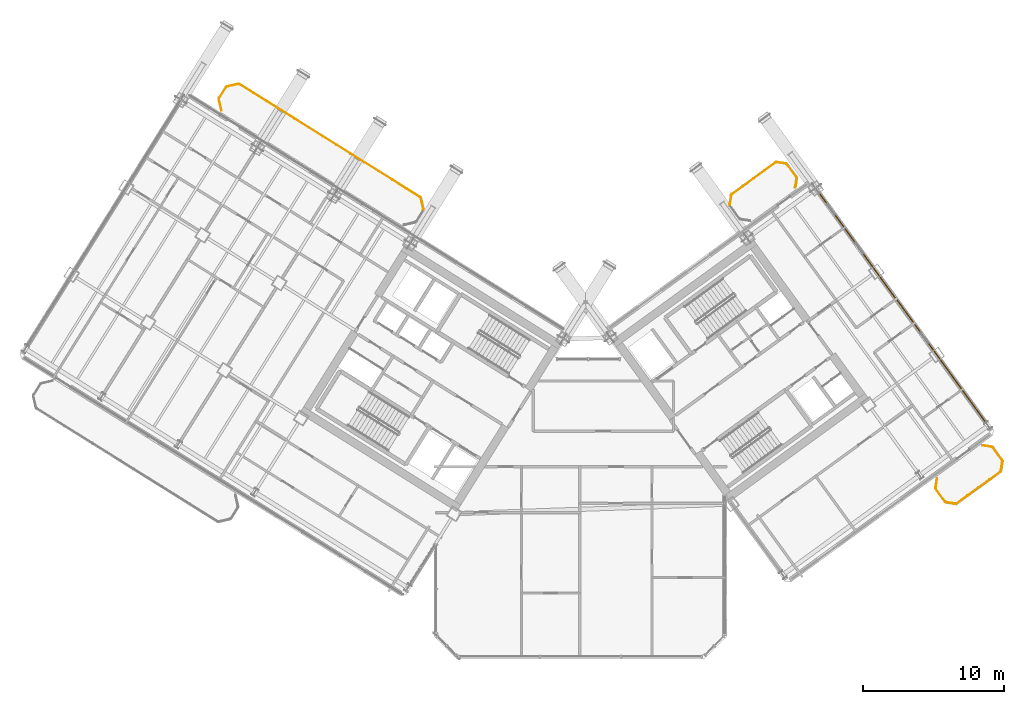
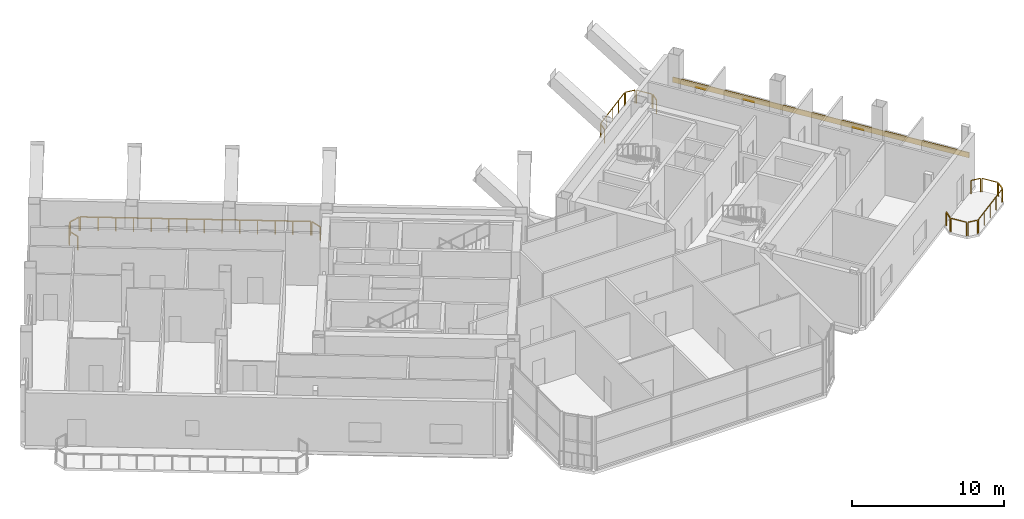
# One storey, part 34 of 34: 17 railings, 1 covering.
"""IFC4 building model written with IfcOpenShell, lengths in metres."""

from ifc_helpers import new_model, si_unit, direction, frame, origin, origin_2d, place, context, subcontext, project, spatial, rectangle, extrude, source, transform, mapped, material, layer, layer_set, type_object, element, save


model = new_model("IFC4")

# Units and contexts
model_context = context("Model", 3, precision=1e-05, world=origin(), true_north=direction((0.0, 1.0)))
body_context = subcontext(model_context, "Body", "Model", "MODEL_VIEW")
ifc_project = project(units=[si_unit("LENGTHUNIT", "METRE"), si_unit("AREAUNIT", "SQUARE_METRE"), si_unit("VOLUMEUNIT", "CUBIC_METRE"), si_unit("PLANEANGLEUNIT", "RADIAN"), si_unit("MASSUNIT", "GRAM", prefix="KILO")], contexts=[model_context])

# Site, building, storey
site_placement = place(None, origin())
site = spatial("IfcSite", under=ifc_project, at=site_placement, CompositionType="ELEMENT")
building_placement = place(site_placement, origin())
building = spatial("IfcBuilding", under=site, at=building_placement, Name="Tlacorven Tower", CompositionType="ELEMENT")
storey_placement = place(building_placement, frame((0.0, 0.0, 174.89990234375)))
storey = spatial("IfcBuildingStorey", under=building, at=storey_placement, Name="L44", CompositionType="ELEMENT", Elevation=174.89990234375)

# Railings
ifc_material_1 = material(Name="Aluminium and painted steel balustrade", Category="steel")
railing_type = type_object("IfcRailingType", Name="RL-BAL-1100", PredefinedType="BALUSTRADE", material=ifc_material_1)
shared_shape_1 = source(origin(), body_context, "Body", "SweptSolid", [
    extrude(rectangle(XDim=0.048095703125, YDim=0.048095703125, at=origin_2d()), frame((0.0, 0.0, 1.076171875), z_axis=(0.225058334816, -0.974345290916, 0.0), x_axis=(0.974345290916, 0.225058334816, 0.0)), (0.0, 0.0, 1.0), 0.80712890625),
    extrude(rectangle(XDim=0.0419921875, YDim=0.0419921875, at=origin_2d()), origin(), (0.0, 0.0, 1.0), 1.052001953125),
    extrude(rectangle(XDim=0.0419921875, YDim=0.0419921875, at=origin_2d()), frame((0.181640625, -0.786376953125, 0.0)), (0.0, 0.0, 1.0), 1.052001953125),
])
railing_1_placement = place(storey_placement, frame((30.6796875, 34.466064453125, 0.0)))
element("IfcRailing", 1, at=railing_1_placement, inside=storey, type_object=railing_type, Name="BAL-L44-W-IN Guard Railing 1", PredefinedType="BALUSTRADE", context=body_context, shape_type="MappedRepresentation", body=[
    mapped(shared_shape_1, transform((0.0, 0.0, 0.0), scale=1.0)),
])
shared_shape_2 = source(origin(), body_context, "Body", "SweptSolid", [
    extrude(rectangle(XDim=0.048095703125, YDim=0.048095703125, at=origin_2d()), frame((0.0, 0.0, 1.076171875), z_axis=(-0.225058334816, 0.974345290916, 0.0), x_axis=(-0.974345290916, -0.225058334816, 0.0)), (0.0, 0.0, 1.0), 0.80712890625),
    extrude(rectangle(XDim=0.0419921875, YDim=0.0419921875, at=origin_2d()), origin(), (0.0, 0.0, 1.0), 1.052001953125),
    extrude(rectangle(XDim=0.0419921875, YDim=0.0419921875, at=origin_2d()), frame((-0.181640625, 0.786376953125, 0.0)), (0.0, 0.0, 1.0), 1.052001953125),
])
railing_2_placement = place(storey_placement, frame((16.5361328125, 40.68115234375, 0.0)))
element("IfcRailing", 2, at=railing_2_placement, inside=storey, type_object=railing_type, Name="BAL-L44-W-IN Guard Railing 4", PredefinedType="BALUSTRADE", context=body_context, shape_type="MappedRepresentation", body=[
    mapped(shared_shape_2, transform((0.0, 0.0, 0.0), scale=1.0)),
])
shared_shape_3 = source(origin(), body_context, "Body", "SweptSolid", [
    extrude(rectangle(XDim=0.048095703125, YDim=0.048095703125, at=origin_2d()), frame((0.0, 0.0, 1.076171875), z_axis=(0.52987865805, 0.848073468364, 0.0), x_axis=(-0.848073468364, 0.52987865805, 0.0)), (0.0, 0.0, 1.0), 0.912353515625),
    extrude(rectangle(XDim=0.0419921875, YDim=0.0419921875, at=origin_2d()), origin(), (0.0, 0.0, 1.0), 1.052001953125),
    extrude(rectangle(XDim=0.0419921875, YDim=0.0419921875, at=origin_2d()), frame((0.4833984375, 0.773681640625, 0.0)), (0.0, 0.0, 1.0), 1.052001953125),
])
railing_3_placement = place(storey_placement, frame((16.369873046875, 41.55859375, 0.0)))
element("IfcRailing", 3, at=railing_3_placement, inside=storey, type_object=railing_type, Name="BAL-L44-W-IN Guard Railing 5", PredefinedType="BALUSTRADE", context=body_context, shape_type="MappedRepresentation", body=[
    mapped(shared_shape_3, transform((0.0, 0.0, 0.0), scale=1.0)),
])
shared_shape_4 = source(origin(), body_context, "Body", "SweptSolid", [
    extrude(rectangle(XDim=0.048095703125, YDim=0.048095703125, at=origin_2d()), frame((0.0, 0.0, 1.076171875), z_axis=(0.974411586182, 0.224771129628, 0.0), x_axis=(-0.224771129628, 0.974411586182, 0.0)), (0.0, 0.0, 1.0), 0.80712890625),
    extrude(rectangle(XDim=0.0419921875, YDim=0.0419921875, at=origin_2d()), origin(), (0.0, 0.0, 1.0), 1.052001953125),
    extrude(rectangle(XDim=0.0419921875, YDim=0.0419921875, at=origin_2d()), frame((0.786376953125, 0.181396484375, 0.0)), (0.0, 0.0, 1.0), 1.052001953125),
])
railing_4_placement = place(storey_placement, frame((16.928466796875, 42.385986328125, 0.0)))
element("IfcRailing", 4, at=railing_4_placement, inside=storey, type_object=railing_type, Name="BAL-L44-W-IN Guard Railing 6", PredefinedType="BALUSTRADE", context=body_context, shape_type="MappedRepresentation", body=[
    mapped(shared_shape_4, transform((0.0, 0.0, 0.0), scale=1.0)),
])
shared_shape_5 = source(origin(), body_context, "Body", "SweptSolid", [
    extrude(rectangle(XDim=0.048095703125, YDim=0.048095703125, at=origin_2d()), frame((0.0, 0.0, 1.076171875), z_axis=(0.848044572804, -0.529924902733, 0.0), x_axis=(0.529924902733, 0.848044572804, 0.0)), (0.0, 0.0, 1.0), 15.1171875),
    extrude(rectangle(XDim=0.0419921875, YDim=0.0419921875, at=origin_2d()), origin(), (0.0, 0.0, 1.0), 1.052001953125),
    extrude(rectangle(XDim=0.0419921875, YDim=0.0419921875, at=origin_2d()), frame((0.986083984375, -0.6162109375, 0.0)), (0.0, 0.0, 1.0), 1.052001953125),
    extrude(rectangle(XDim=0.0419921875, YDim=0.0419921875, at=origin_2d()), frame((1.972412109375, -1.232421875, 0.0)), (0.0, 0.0, 1.0), 1.052001953125),
    extrude(rectangle(XDim=0.0419921875, YDim=0.0419921875, at=origin_2d()), frame((2.95849609375, -1.8486328125, 0.0)), (0.0, 0.0, 1.0), 1.052001953125),
    extrude(rectangle(XDim=0.0419921875, YDim=0.0419921875, at=origin_2d()), frame((3.944580078125, -2.46484375, 0.0)), (0.0, 0.0, 1.0), 1.052001953125),
    extrude(rectangle(XDim=0.0419921875, YDim=0.0419921875, at=origin_2d()), frame((4.930908203125, -3.0810546875, 0.0)), (0.0, 0.0, 1.0), 1.052001953125),
    extrude(rectangle(XDim=0.0419921875, YDim=0.0419921875, at=origin_2d()), frame((5.9169921875, -3.697265625, 0.0)), (0.0, 0.0, 1.0), 1.052001953125),
    extrude(rectangle(XDim=0.0419921875, YDim=0.0419921875, at=origin_2d()), frame((6.903076171875, -4.313720703125, 0.0)), (0.0, 0.0, 1.0), 1.052001953125),
    extrude(rectangle(XDim=0.0419921875, YDim=0.0419921875, at=origin_2d()), frame((7.88916015625, -4.929931640625, 0.0)), (0.0, 0.0, 1.0), 1.052001953125),
    extrude(rectangle(XDim=0.0419921875, YDim=0.0419921875, at=origin_2d()), frame((8.87548828125, -5.546142578125, 0.0)), (0.0, 0.0, 1.0), 1.052001953125),
    extrude(rectangle(XDim=0.0419921875, YDim=0.0419921875, at=origin_2d()), frame((9.861572265625, -6.162353515625, 0.0)), (0.0, 0.0, 1.0), 1.052001953125),
    extrude(rectangle(XDim=0.0419921875, YDim=0.0419921875, at=origin_2d()), frame((10.84765625, -6.778564453125, 0.0)), (0.0, 0.0, 1.0), 1.052001953125),
    extrude(rectangle(XDim=0.0419921875, YDim=0.0419921875, at=origin_2d()), frame((11.833984375, -7.394775390625, 0.0)), (0.0, 0.0, 1.0), 1.052001953125),
    extrude(rectangle(XDim=0.0419921875, YDim=0.0419921875, at=origin_2d()), frame((12.820068359375, -8.010986328125, 0.0)), (0.0, 0.0, 1.0), 1.052001953125),
])
railing_5_placement = place(storey_placement, frame((17.805908203125, 42.55224609375, 0.0)))
element("IfcRailing", 5, at=railing_5_placement, inside=storey, type_object=railing_type, Name="BAL-L44-W-IN Guard Railing 7", PredefinedType="BALUSTRADE", context=body_context, shape_type="MappedRepresentation", body=[
    mapped(shared_shape_5, transform((0.0, 0.0, 0.0), scale=1.0)),
])
shared_shape_6 = source(origin(), body_context, "Body", "SweptSolid", [
    extrude(rectangle(XDim=0.048095703125, YDim=0.048095703125, at=origin_2d()), frame((0.0, 0.0, 1.076171875), z_axis=(-0.987661653326, 0.156602868908, 0.0), x_axis=(-0.156602868908, -0.987661653326, 0.0)), (0.0, 0.0, 1.0), 0.665771484375),
    extrude(rectangle(XDim=0.0419921875, YDim=0.0419921875, at=origin_2d()), origin(), (0.0, 0.0, 1.0), 1.052001953125),
    extrude(rectangle(XDim=0.0419921875, YDim=0.0419921875, at=origin_2d()), frame((-0.657470703125, 0.104248046875, 0.0)), (0.0, 0.0, 1.0), 1.052001953125),
])
railing_6_placement = place(storey_placement, frame((68.59521484375, 12.7919921875, 0.0)))
element("IfcRailing", 6, at=railing_6_placement, inside=storey, type_object=railing_type, Name="BAL-L44-E-OUT Guard Railing 1", PredefinedType="BALUSTRADE", context=body_context, shape_type="MappedRepresentation", body=[
    mapped(shared_shape_6, transform((0.0, 0.0, 0.0), scale=1.0)),
])
shared_shape_7 = source(origin(), body_context, "Body", "SweptSolid", [
    extrude(rectangle(XDim=0.048095703125, YDim=0.048095703125, at=origin_2d()), frame((0.0, 0.0, 1.076171875), z_axis=(-0.58788449985, 0.808944877501, 0.0), x_axis=(-0.808944877501, -0.58788449985, 0.0)), (0.0, 0.0, 1.0), 1.112060546875),
    extrude(rectangle(XDim=0.0419921875, YDim=0.0419921875, at=origin_2d()), origin(), (0.0, 0.0, 1.0), 1.052001953125),
    extrude(rectangle(XDim=0.0419921875, YDim=0.0419921875, at=origin_2d()), frame((-0.65380859375, 0.899658203125, 0.0)), (0.0, 0.0, 1.0), 1.052001953125),
])
railing_7_placement = place(storey_placement, frame((67.85888671875, 12.944580078125, 0.0)))
element("IfcRailing", 7, at=railing_7_placement, inside=storey, type_object=railing_type, Name="BAL-L44-E-OUT Guard Railing 2", PredefinedType="BALUSTRADE", context=body_context, shape_type="MappedRepresentation", body=[
    mapped(shared_shape_7, transform((0.0, 0.0, 0.0), scale=1.0)),
])
shared_shape_8 = source(origin(), body_context, "Body", "SweptSolid", [
    extrude(rectangle(XDim=0.048095703125, YDim=0.048095703125, at=origin_2d()), frame((0.0, 0.0, 1.076171875), z_axis=(0.156602868908, 0.987661653326, 0.0), x_axis=(-0.987661653326, 0.156602868908, 0.0)), (0.0, 0.0, 1.0), 0.665771484375),
    extrude(rectangle(XDim=0.0419921875, YDim=0.0419921875, at=origin_2d()), origin(), (0.0, 0.0, 1.0), 1.052001953125),
    extrude(rectangle(XDim=0.0419921875, YDim=0.0419921875, at=origin_2d()), frame((0.104248046875, 0.657470703125, 0.0)), (0.0, 0.0, 1.0), 1.052001953125),
])
railing_8_placement = place(storey_placement, frame((67.18359375, 13.93408203125, 0.0)))
element("IfcRailing", 8, at=railing_8_placement, inside=storey, type_object=railing_type, Name="BAL-L44-E-OUT Guard Railing 3", PredefinedType="BALUSTRADE", context=body_context, shape_type="MappedRepresentation", body=[
    mapped(shared_shape_8, transform((0.0, 0.0, 0.0), scale=1.0)),
])
shared_shape_9 = source(origin(), body_context, "Body", "SweptSolid", [
    extrude(rectangle(XDim=0.048095703125, YDim=0.048095703125, at=origin_2d()), frame((0.0, 0.0, 1.076171875), z_axis=(0.987718317463, -0.156245081039, 0.0), x_axis=(0.156245081039, 0.987718317463, 0.0)), (0.0, 0.0, 1.0), 0.66552734375),
    extrude(rectangle(XDim=0.0419921875, YDim=0.0419921875, at=origin_2d()), origin(), (0.0, 0.0, 1.0), 1.052001953125),
    extrude(rectangle(XDim=0.0419921875, YDim=0.0419921875, at=origin_2d()), frame((0.657470703125, -0.10400390625, 0.0)), (0.0, 0.0, 1.0), 1.052001953125),
])
railing_9_placement = place(storey_placement, frame((70.513916015625, 16.935546875, 0.0)))
element("IfcRailing", 9, at=railing_9_placement, inside=storey, type_object=railing_type, Name="BAL-L44-E-OUT Guard Railing 4", PredefinedType="BALUSTRADE", context=body_context, shape_type="MappedRepresentation", body=[
    mapped(shared_shape_9, transform((0.0, 0.0, 0.0), scale=1.0)),
])
shared_shape_10 = source(origin(), body_context, "Body", "SweptSolid", [
    extrude(rectangle(XDim=0.048095703125, YDim=0.048095703125, at=origin_2d()), frame((0.0, 0.0, 1.076171875), z_axis=(0.58788449985, -0.808944877501, 0.0), x_axis=(0.808944877501, 0.58788449985, 0.0)), (0.0, 0.0, 1.0), 1.112060546875),
    extrude(rectangle(XDim=0.0419921875, YDim=0.0419921875, at=origin_2d()), origin(), (0.0, 0.0, 1.0), 1.052001953125),
    extrude(rectangle(XDim=0.0419921875, YDim=0.0419921875, at=origin_2d()), frame((0.65380859375, -0.899658203125, 0.0)), (0.0, 0.0, 1.0), 1.052001953125),
])
for number, where, name in (
    (10, (71.250244140625, 16.783203125, 0.0), "BAL-L44-E-OUT Guard Railing 5"),
    (11, (56.658447265625, 36.866943359375, 0.0), "BAL-L44-E-IN Guard Railing 6"),
):
    element("IfcRailing", number, at=place(storey_placement, frame(where)), inside=storey, type_object=railing_type, Name=name, PredefinedType="BALUSTRADE", context=body_context, shape_type="MappedRepresentation", body=[
        mapped(shared_shape_10, transform((0.0, 0.0, 0.0), scale=1.0)),
    ])
shared_shape_11 = source(origin(), body_context, "Body", "SweptSolid", [
    extrude(rectangle(XDim=0.048095703125, YDim=0.048095703125, at=origin_2d()), frame((0.0, 0.0, 1.076171875), z_axis=(-0.156188498702, -0.987727266442, 0.0), x_axis=(0.987727266442, -0.156188498702, 0.0)), (0.0, 0.0, 1.0), 0.665771484375),
    extrude(rectangle(XDim=0.0419921875, YDim=0.0419921875, at=origin_2d()), origin(), (0.0, 0.0, 1.0), 1.052001953125),
    extrude(rectangle(XDim=0.0419921875, YDim=0.0419921875, at=origin_2d()), frame((-0.10400390625, -0.65771484375, 0.0)), (0.0, 0.0, 1.0), 1.052001953125),
])
railing_10_placement = place(storey_placement, frame((71.925537109375, 15.793701171875, 0.0)))
element("IfcRailing", 12, at=railing_10_placement, inside=storey, type_object=railing_type, Name="BAL-L44-E-OUT Guard Railing 6", PredefinedType="BALUSTRADE", context=body_context, shape_type="MappedRepresentation", body=[
    mapped(shared_shape_11, transform((0.0, 0.0, 0.0), scale=1.0)),
])
shared_shape_12 = source(origin(), body_context, "Body", "SweptSolid", [
    extrude(rectangle(XDim=0.048095703125, YDim=0.048095703125, at=origin_2d()), frame((0.0, 0.0, 1.076171875), z_axis=(-0.809018102573, -0.587783726986, 0.0), x_axis=(0.587783726986, -0.809018102573, 0.0)), (0.0, 0.0, 1.0), 3.817138671875),
    extrude(rectangle(XDim=0.0419921875, YDim=0.0419921875, at=origin_2d()), origin(), (0.0, 0.0, 1.0), 1.052001953125),
    extrude(rectangle(XDim=0.0419921875, YDim=0.0419921875, at=origin_2d()), frame((-0.77197265625, -0.56103515625, 0.0)), (0.0, 0.0, 1.0), 1.052001953125),
    extrude(rectangle(XDim=0.0419921875, YDim=0.0419921875, at=origin_2d()), frame((-1.5439453125, -1.121826171875, 0.0)), (0.0, 0.0, 1.0), 1.052001953125),
    extrude(rectangle(XDim=0.0419921875, YDim=0.0419921875, at=origin_2d()), frame((-2.316162109375, -1.6826171875, 0.0)), (0.0, 0.0, 1.0), 1.052001953125),
    extrude(rectangle(XDim=0.0419921875, YDim=0.0419921875, at=origin_2d()), frame((-3.088134765625, -2.24365234375, 0.0)), (0.0, 0.0, 1.0), 1.052001953125),
])
railing_11_placement = place(storey_placement, frame((71.773193359375, 15.057373046875, 0.0)))
element("IfcRailing", 13, at=railing_11_placement, inside=storey, type_object=railing_type, Name="BAL-L44-E-OUT Guard Railing 7", PredefinedType="BALUSTRADE", context=body_context, shape_type="MappedRepresentation", body=[
    mapped(shared_shape_12, transform((0.0, 0.0, 0.0), scale=1.0)),
])
shared_shape_13 = source(origin(), body_context, "Body", "SweptSolid", [
    extrude(rectangle(XDim=0.048095703125, YDim=0.048095703125, at=origin_2d()), frame((0.0, 0.0, 1.076171875), z_axis=(0.156546163506, 0.987670642822, 0.0), x_axis=(-0.987670642822, 0.156546163506, 0.0)), (0.0, 0.0, 1.0), 0.666015625),
    extrude(rectangle(XDim=0.0419921875, YDim=0.0419921875, at=origin_2d()), origin(), (0.0, 0.0, 1.0), 1.052001953125),
    extrude(rectangle(XDim=0.0419921875, YDim=0.0419921875, at=origin_2d()), frame((0.104248046875, 0.65771484375, 0.0)), (0.0, 0.0, 1.0), 1.052001953125),
])
railing_12_placement = place(storey_placement, frame((52.591796875, 34.017822265625, 0.0)))
element("IfcRailing", 14, at=railing_12_placement, inside=storey, type_object=railing_type, Name="BAL-L44-E-IN Guard Railing 3", PredefinedType="BALUSTRADE", context=body_context, shape_type="MappedRepresentation", body=[
    mapped(shared_shape_13, transform((0.0, 0.0, 0.0), scale=1.0)),
])
shared_shape_14 = source(origin(), body_context, "Body", "SweptSolid", [
    extrude(rectangle(XDim=0.048095703125, YDim=0.048095703125, at=origin_2d()), frame((0.0, 0.0, 1.076171875), z_axis=(0.809040198054, 0.587753313843, 0.0), x_axis=(-0.587753313843, 0.809040198054, 0.0)), (0.0, 0.0, 1.0), 3.8173828125),
    extrude(rectangle(XDim=0.0419921875, YDim=0.0419921875, at=origin_2d()), origin(), (0.0, 0.0, 1.0), 1.052001953125),
    extrude(rectangle(XDim=0.0419921875, YDim=0.0419921875, at=origin_2d()), frame((0.77197265625, 0.56103515625, 0.0)), (0.0, 0.0, 1.0), 1.052001953125),
    extrude(rectangle(XDim=0.0419921875, YDim=0.0419921875, at=origin_2d()), frame((1.544189453125, 1.121826171875, 0.0)), (0.0, 0.0, 1.0), 1.052001953125),
    extrude(rectangle(XDim=0.0419921875, YDim=0.0419921875, at=origin_2d()), frame((2.31640625, 1.6826171875, 0.0)), (0.0, 0.0, 1.0), 1.052001953125),
    extrude(rectangle(XDim=0.0419921875, YDim=0.0419921875, at=origin_2d()), frame((3.08837890625, 2.24365234375, 0.0)), (0.0, 0.0, 1.0), 1.052001953125),
])
railing_13_placement = place(storey_placement, frame((52.744140625, 34.754150390625, 0.0)))
element("IfcRailing", 15, at=railing_13_placement, inside=storey, type_object=railing_type, Name="BAL-L44-E-IN Guard Railing 4", PredefinedType="BALUSTRADE", context=body_context, shape_type="MappedRepresentation", body=[
    mapped(shared_shape_14, transform((0.0, 0.0, 0.0), scale=1.0)),
])
shared_shape_15 = source(origin(), body_context, "Body", "SweptSolid", [
    extrude(rectangle(XDim=0.048095703125, YDim=0.048095703125, at=origin_2d()), frame((0.0, 0.0, 1.076171875), z_axis=(0.987670642822, -0.156546163506, 0.0), x_axis=(0.156546163506, 0.987670642822, 0.0)), (0.0, 0.0, 1.0), 0.666015625),
    extrude(rectangle(XDim=0.0419921875, YDim=0.0419921875, at=origin_2d()), origin(), (0.0, 0.0, 1.0), 1.052001953125),
    extrude(rectangle(XDim=0.0419921875, YDim=0.0419921875, at=origin_2d()), frame((0.65771484375, -0.104248046875, 0.0)), (0.0, 0.0, 1.0), 1.052001953125),
])
railing_14_placement = place(storey_placement, frame((55.922119140625, 37.01953125, 0.0)))
element("IfcRailing", 16, at=railing_14_placement, inside=storey, type_object=railing_type, Name="BAL-L44-E-IN Guard Railing 5", PredefinedType="BALUSTRADE", context=body_context, shape_type="MappedRepresentation", body=[
    mapped(shared_shape_15, transform((0.0, 0.0, 0.0), scale=1.0)),
])
shared_shape_16 = source(origin(), body_context, "Body", "SweptSolid", [
    extrude(rectangle(XDim=0.048095703125, YDim=0.048095703125, at=origin_2d()), frame((0.0, 0.0, 1.076171875), z_axis=(-0.156245081039, -0.987718317463, 0.0), x_axis=(0.987718317463, -0.156245081039, 0.0)), (0.0, 0.0, 1.0), 0.66552734375),
    extrude(rectangle(XDim=0.0419921875, YDim=0.0419921875, at=origin_2d()), origin(), (0.0, 0.0, 1.0), 1.052001953125),
    extrude(rectangle(XDim=0.0419921875, YDim=0.0419921875, at=origin_2d()), frame((-0.10400390625, -0.657470703125, 0.0)), (0.0, 0.0, 1.0), 1.052001953125),
])
railing_15_placement = place(storey_placement, frame((57.333740234375, 35.87744140625, 0.0)))
element("IfcRailing", 17, at=railing_15_placement, inside=storey, type_object=railing_type, Name="BAL-L44-E-IN Guard Railing 7", PredefinedType="BALUSTRADE", context=body_context, shape_type="MappedRepresentation", body=[
    mapped(shared_shape_16, transform((0.0, 0.0, 0.0), scale=1.0)),
])

# Covering
ifc_material_2 = material(Name="Precast concrete C45/55", Category="concrete")
ifc_layer = layer(ifc_material_2, 0.06005859375)
ifc_layer_set = layer_set([ifc_layer], Name="Precast concrete C45/55")
covering_type = type_object("IfcCoveringType", Name="CV-CLD-TERC", PredefinedType="CLADDING", material=ifc_layer_set)
shared_shape_17 = source(origin(), body_context, "Body", "SweptSolid", [
    extrude(rectangle(XDim=21.287353515625, YDim=0.06005859375, at=origin_2d()), origin(), (0.0, 0.0, 1.0), 0.419921875),
])
covering_placement = place(storey_placement, frame((64.799072265625, 26.75146484375, 1.97509765625), z_axis=(0.0, 0.0, 1.0), x_axis=(0.587785363163, -0.809016913823, 0.0)))
element("IfcCovering", 18, at=covering_placement, inside=storey, type_object=covering_type, Name="L44 Masonry-Frame Spandrel Cladding 5", PredefinedType="CLADDING", context=body_context, shape_type="MappedRepresentation", body=[
    mapped(shared_shape_17, transform((0.0, 0.0, 0.0), scale=1.0)),
])

save(model, "model.ifc")
